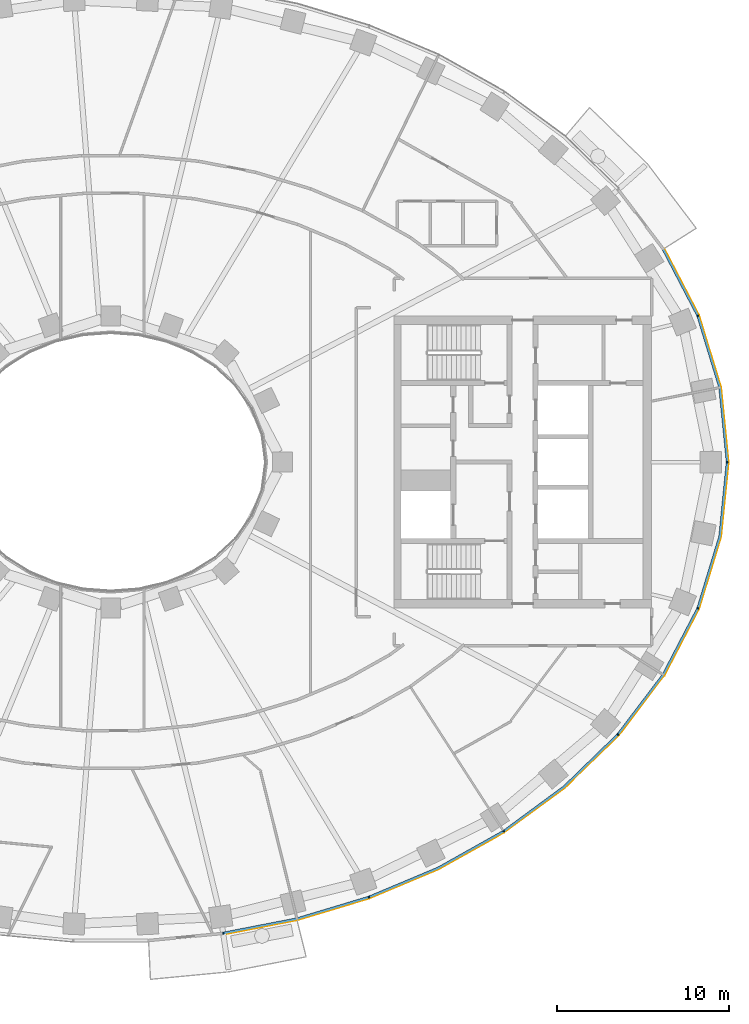
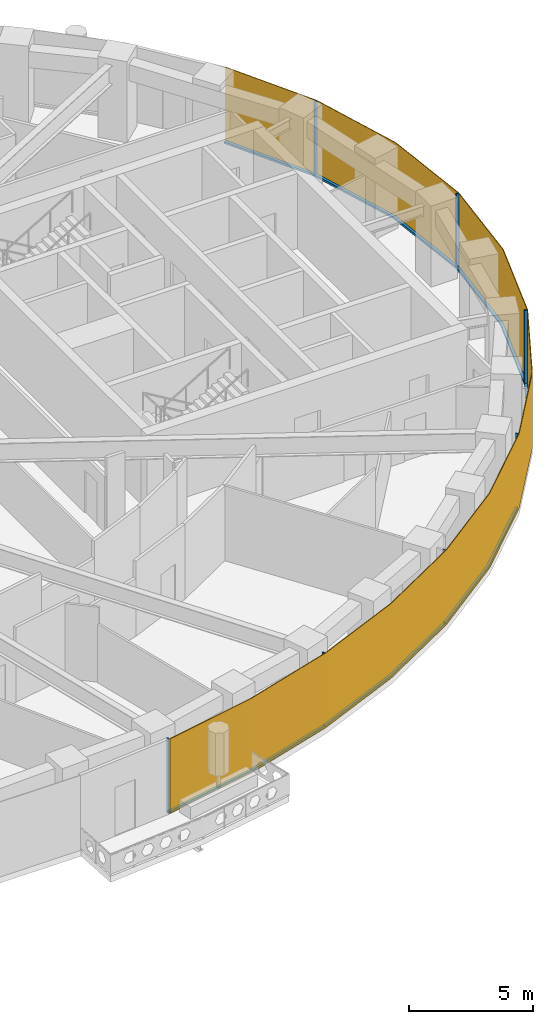
# One storey, part 11 of 17: 14 members, 1 curtain wall.
"""IFC4 building model written with IfcOpenShell, lengths in metres."""

from ifc_helpers import new_model, si_unit, direction, frame, origin, origin_2d, place, context, subcontext, project, spatial, polyline, rectangle, outline, extrude, material, layer, layer_set, material_profile, profile_set, type_object, element, aggregate, save


model = new_model("IFC4")

# Units and contexts
model_context = context("Model", 3, precision=1e-05, world=origin(), true_north=direction((0.0, 1.0)))
body_context = subcontext(model_context, "Body", "Model", "MODEL_VIEW")
ifc_project = project(units=[si_unit("LENGTHUNIT", "METRE"), si_unit("AREAUNIT", "SQUARE_METRE"), si_unit("VOLUMEUNIT", "CUBIC_METRE"), si_unit("PLANEANGLEUNIT", "RADIAN"), si_unit("MASSUNIT", "GRAM", prefix="KILO")], contexts=[model_context])

# Member
ifc_material_1 = material(Name="Aluminium 6063-T6 black anodised", Category="aluminium")
ifc_material_profile = material_profile(ifc_material_1, rectangle(XDim=0.1201171875, YDim=0.06005859375, at=origin_2d()), Name="120x60")
ifc_profile_set = profile_set([ifc_material_profile], Name="Aluminium 6063-T6 black anodised")
member_type_1 = type_object("IfcMemberType", Name="ENV-MULLION-A-120", PredefinedType="MULLION", material=ifc_profile_set)
site_placement = place(None, origin())
building_placement = place(site_placement, origin())
storey_placement = place(building_placement, frame((0.0, 0.0, 120.0)))
member_1_placement = place(storey_placement, frame((6.54638671875, -27.440185546875, 0.0), z_axis=(0.0, 0.0, 1.0), x_axis=(-0.143082012705, 0.989710835366, 0.0)))
member_1 = element("IfcMember", 1, at=member_1_placement, type_object=member_type_1, Name="Mullion A radial 37", PredefinedType="MULLION", context=body_context, shape_type="SweptSolid", body=[
    extrude(rectangle(XDim=0.1201171875, YDim=0.06005859375, at=origin_2d()), origin(), (0.0, 0.0, 1.0), 3.699951171875),
])

member_2_placement = place(storey_placement, frame((15.0341796875, -25.34375, 0.0), z_axis=(0.0, 0.0, 1.0), x_axis=(-0.338379256581, 0.941009818608, 0.0)))
member_2 = element("IfcMember", 2, at=member_2_placement, type_object=member_type_1, Name="Mullion A radial 39", PredefinedType="MULLION", context=body_context, shape_type="SweptSolid", body=[
    extrude(rectangle(XDim=0.1201171875, YDim=0.06005859375, at=origin_2d()), origin(), (0.0, 0.0, 1.0), 3.699951171875),
])

member_3_placement = place(storey_placement, frame((22.882568359375, -21.506591796875, 0.0), z_axis=(0.0, 0.0, 1.0), x_axis=(-0.542279153225, 0.840198381323, 0.0)))
member_3 = element("IfcMember", 3, at=member_3_placement, type_object=member_type_1, Name="Mullion A radial 41", PredefinedType="MULLION", context=body_context, shape_type="SweptSolid", body=[
    extrude(rectangle(XDim=0.1201171875, YDim=0.06005859375, at=origin_2d()), origin(), (0.0, 0.0, 1.0), 3.699951171875),
])

member_4_placement = place(storey_placement, frame((29.53857421875, -15.8671875, 0.0), z_axis=(0.0, 0.0, 1.0), x_axis=(-0.749047221705, 0.662516610853, 0.0)))
member_4 = element("IfcMember", 4, at=member_4_placement, type_object=member_type_1, Name="Mullion A radial 43", PredefinedType="MULLION", context=body_context, shape_type="SweptSolid", body=[
    extrude(rectangle(XDim=0.1201171875, YDim=0.06005859375, at=origin_2d()), origin(), (0.0, 0.0, 1.0), 3.699951171875),
])

member_5_placement = place(storey_placement, frame((34.19580078125, -8.513916015625, 0.0), z_axis=(0.0, 0.0, 1.0), x_axis=(-0.92546738067, 0.378827305398, 0.0)))
member_5 = element("IfcMember", 5, at=member_5_placement, type_object=member_type_1, Name="Mullion A radial 45", PredefinedType="MULLION", context=body_context, shape_type="SweptSolid", body=[
    extrude(rectangle(XDim=0.1201171875, YDim=0.06005859375, at=origin_2d()), origin(), (0.0, 0.0, 1.0), 3.699951171875),
])

member_6_placement = place(storey_placement, frame((35.907958984375, 0.0, 0.0), z_axis=(0.0, 0.0, 1.0), x_axis=(-1.0, 0.0, 0.0)))
member_6 = element("IfcMember", 6, at=member_6_placement, type_object=member_type_1, Name="Mullion A radial 01", PredefinedType="MULLION", context=body_context, shape_type="SweptSolid", body=[
    extrude(rectangle(XDim=0.1201171875, YDim=0.06005859375, at=origin_2d()), origin(), (0.0, 0.0, 1.0), 3.699951171875),
])

member_7_placement = place(storey_placement, frame((34.19580078125, 8.513916015625, 0.0), z_axis=(0.0, 0.0, 1.0), x_axis=(-0.92546738067, -0.378827305398, 0.0)))
member_7 = element("IfcMember", 7, at=member_7_placement, type_object=member_type_1, Name="Mullion A radial 03", PredefinedType="MULLION", context=body_context, shape_type="SweptSolid", body=[
    extrude(rectangle(XDim=0.1201171875, YDim=0.06005859375, at=origin_2d()), origin(), (0.0, 0.0, 1.0), 3.699951171875),
])

ifc_material_2 = material(Name="Aluminium 6063-T6 black anodised", Category="aluminium")
member_type_2 = type_object("IfcMemberType", Name="ENV-TRANSOM-A", PredefinedType="USERDEFINED", material=ifc_material_2)
member_8_placement = place(storey_placement, origin())
member_8 = element("IfcMember", 8, at=member_8_placement, type_object=member_type_2, Name="Transom A radial 37-39", ObjectType="TRANSOM", PredefinedType="USERDEFINED", context=body_context, shape_type="SweptSolid", body=[
    extrude(outline(polyline([(6.58251953125, -27.494140625), (10.857666015625, -26.6630859375), (15.027587890625, -25.408203125), (14.987060546875, -25.295166015625), (10.828857421875, -26.54638671875), (6.5654296875, -27.375244140625), (6.58251953125, -27.494140625)])), origin(), (0.0, 0.0, 1.0), 0.10009765625),
])

member_9_placement = place(storey_placement, origin())
member_9 = element("IfcMember", 9, at=member_9_placement, type_object=member_type_2, Name="Transom A radial 39-41", ObjectType="TRANSOM", PredefinedType="USERDEFINED", context=body_context, shape_type="SweptSolid", body=[
    extrude(outline(polyline([(15.080322265625, -25.389404296875), (19.093994140625, -23.701416015625), (22.890625, -21.570556640625), (22.825439453125, -21.469482421875), (19.041259765625, -23.593505859375), (15.03955078125, -25.276123046875), (15.080322265625, -25.389404296875)])), origin(), (0.0, 0.0, 1.0), 0.10009765625),
])

member_10_placement = place(storey_placement, origin())
member_10 = element("IfcMember", 10, at=member_10_placement, type_object=member_type_2, Name="Transom A radial 41-43", ObjectType="TRANSOM", PredefinedType="USERDEFINED", context=body_context, shape_type="SweptSolid", body=[
    extrude(outline(polyline([(22.937744140625, -21.540283203125), (26.4423828125, -18.958740234375), (29.5634765625, -15.926513671875), (29.473388671875, -15.8466796875), (26.364501953125, -18.866943359375), (22.87255859375, -21.439208984375), (22.937744140625, -21.540283203125)])), origin(), (0.0, 0.0, 1.0), 0.10009765625),
])

member_11_placement = place(storey_placement, origin())
member_11 = element("IfcMember", 11, at=member_11_placement, type_object=member_type_2, Name="Transom A radial 43-45", ObjectType="TRANSOM", PredefinedType="USERDEFINED", context=body_context, shape_type="SweptSolid", body=[
    extrude(outline(polyline([(29.6005859375, -15.884521484375), (32.22802734375, -12.41748046875), (34.23828125, -8.5615234375), (34.126708984375, -8.515869140625), (32.126220703125, -12.35302734375), (29.51025390625, -15.8046875), (29.6005859375, -15.884521484375)])), origin(), (0.0, 0.0, 1.0), 0.10009765625),
])

member_12_placement = place(storey_placement, origin())
member_12 = element("IfcMember", 12, at=member_12_placement, type_object=member_type_2, Name="Transom A radial 45-01", ObjectType="TRANSOM", PredefinedType="USERDEFINED", context=body_context, shape_type="SweptSolid", body=[
    extrude(outline(polyline([(34.259521484375, -8.509765625), (35.529541015625, -4.352294921875), (35.965087890625, -0.02783203125), (35.844482421875, -0.02783203125), (35.411376953125, -4.32861328125), (34.14794921875, -8.464111328125), (34.259521484375, -8.509765625)])), origin(), (0.0, 0.0, 1.0), 0.10009765625),
])

member_13_placement = place(storey_placement, origin())
member_13 = element("IfcMember", 13, at=member_13_placement, type_object=member_type_2, Name="Transom A radial 01-03", ObjectType="TRANSOM", PredefinedType="USERDEFINED", context=body_context, shape_type="SweptSolid", body=[
    extrude(outline(polyline([(35.965087890625, 0.02783203125), (35.529541015625, 4.352294921875), (34.259521484375, 8.509765625), (34.14794921875, 8.464111328125), (35.411376953125, 4.32861328125), (35.844482421875, 0.02783203125), (35.965087890625, 0.02783203125)])), origin(), (0.0, 0.0, 1.0), 0.10009765625),
])

member_14_placement = place(storey_placement, origin())
member_14 = element("IfcMember", 14, at=member_14_placement, type_object=member_type_2, Name="Transom A radial 03-04", ObjectType="TRANSOM", PredefinedType="USERDEFINED", context=body_context, shape_type="SweptSolid", body=[
    extrude(outline(polyline([(34.23828125, 8.5615234375), (32.2373046875, 12.39990234375), (32.135498046875, 12.33544921875), (34.126708984375, 8.515869140625), (34.23828125, 8.5615234375)])), origin(), (0.0, 0.0, 1.0), 0.10009765625),
])

# Site, building, storey
site = spatial("IfcSite", under=ifc_project, at=site_placement, CompositionType="ELEMENT")
building = spatial("IfcBuilding", under=site, at=building_placement, Name="Noorbagh Ring Tower", CompositionType="ELEMENT")
storey = spatial("IfcBuildingStorey", under=building, at=storey_placement, Name="L27", CompositionType="ELEMENT", Elevation=120.0)

# Curtain wall
ifc_material_3 = material(Name="Glass dark tinted laminated", Category="glass")
ifc_layer = layer(ifc_material_3, 0.031982421875)
ifc_layer_set = layer_set([ifc_layer], Name="Glass dark tinted laminated")
curtain_wall_type = type_object("IfcCurtainWallType", Name="ENV-CW-A", PredefinedType="NOTDEFINED", material=ifc_layer_set)
curtain_wall_placement = place(storey_placement, origin())
curtain_wall = element("IfcCurtainWall", 15, at=curtain_wall_placement, inside=storey, type_object=curtain_wall_type, Name="Curtain wall A R37", PredefinedType="NOTDEFINED", context=body_context, shape_type="SweptSolid", body=[
    extrude(outline(polyline([(6.579345703125, -27.52734375), (10.865234375, -26.6943359375), (15.065185546875, -25.430419921875), (19.108154296875, -23.730224609375), (22.9326171875, -21.583740234375), (26.463134765625, -18.9833984375), (29.607666015625, -15.927978515625), (32.255126953125, -12.434814453125), (34.281005859375, -8.548828125), (35.561279296875, -4.358642578125), (36.0, 0.0), (35.561279296875, 4.358642578125), (34.281005859375, 8.548828125), (32.264404296875, 12.4169921875), (32.2373046875, 12.39990234375), (34.251220703125, 8.53662109375), (35.529541015625, 4.352294921875), (35.9677734375, 0.0), (35.529541015625, -4.352294921875), (34.251220703125, -8.53662109375), (32.22802734375, -12.41748046875), (29.58349609375, -15.906982421875), (26.4423828125, -18.958740234375), (22.9150390625, -21.556884765625), (19.093994140625, -23.701416015625), (15.054443359375, -25.400146484375), (10.857666015625, -26.6630859375), (6.57470703125, -27.49560546875), (6.579345703125, -27.52734375)])), origin(), (0.0, 0.0, 1.0), 3.699951171875),
])

aggregate(curtain_wall, [member_1, member_2, member_3, member_4, member_5, member_6, member_7, member_8, member_9, member_10, member_11, member_12, member_13, member_14])

save(model, "model.ifc")
